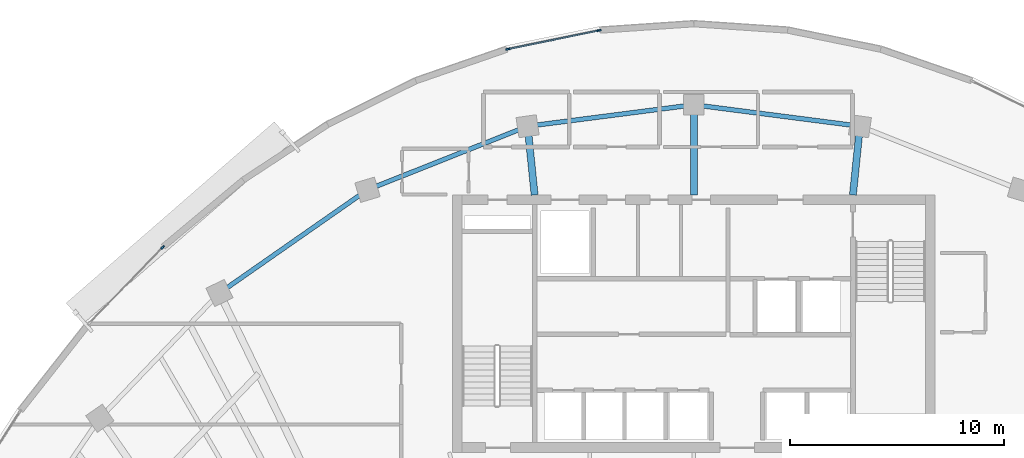
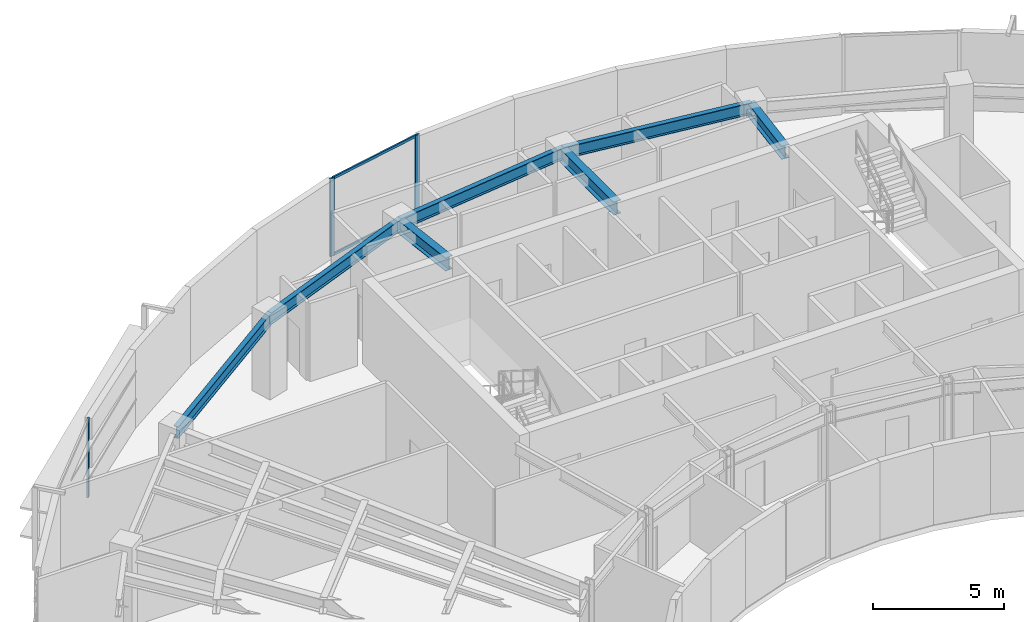
# One storey, part 5 of 14: 7 beams, 5 members, 2 elements without a shape of their own.
"""IFC4 building model written with IfcOpenShell, lengths in metres."""

from ifc_helpers import new_model, si_unit, direction, frame, origin, origin_2d, place, context, subcontext, project, spatial, rectangle, i_section, extrude, source, transform, mapped, material, layer, layer_set, material_profile, profile_set, type_object, element, aggregate, save


model = new_model("IFC4")

# Units and contexts
model_context = context("Model", 3, precision=1e-05, world=origin(), true_north=direction((0.0, 1.0)))
body_context = subcontext(model_context, "Body", "Model", "MODEL_VIEW")
ifc_project = project(units=[si_unit("LENGTHUNIT", "METRE"), si_unit("AREAUNIT", "SQUARE_METRE"), si_unit("VOLUMEUNIT", "CUBIC_METRE"), si_unit("PLANEANGLEUNIT", "RADIAN"), si_unit("MASSUNIT", "GRAM", prefix="KILO")], contexts=[model_context])

# Site, building, storey
site_placement = place(None, origin())
site = spatial("IfcSite", under=ifc_project, at=site_placement, CompositionType="ELEMENT")
building_placement = place(site_placement, origin())
building = spatial("IfcBuilding", under=site, at=building_placement, Name="Breltana Convention Tower", CompositionType="ELEMENT")
storey_placement = place(building_placement, frame((0.0, 0.0, 211.800048828125)))
storey = spatial("IfcBuildingStorey", under=building, at=storey_placement, Name="L51", CompositionType="ELEMENT", Elevation=211.800048828125)

# Beams
ifc_material_1 = material(Name="Steel ASTM A992 Grade 50", Category="steel")
ifc_material_profile_1 = material_profile(ifc_material_1, i_section(OverallWidth=0.326904296875, OverallDepth=0.6220703125, WebThickness=0.015380859375, FlangeThickness=0.0244140625, at=origin_2d()), Name="W24X131")
ifc_profile_set_1 = profile_set([ifc_material_profile_1], Name="Steel ASTM A992 Grade 50")
beam_type_1 = type_object("IfcBeamType", Name="BM-RG-W24X131", PredefinedType="USERDEFINED", material=ifc_profile_set_1)
shared_shape_1 = source(origin(), body_context, "Body", "SweptSolid", [
    extrude(i_section(OverallWidth=0.326904296875, OverallDepth=0.6220703125, WebThickness=0.015380859375, FlangeThickness=0.0244140625, at=origin_2d()), origin(), (0.0, 0.0, 1.0), 3.220947265625),
])
for number, where, z_axis, x_axis, name in (
    (1, (40.580078125, 72.199951171875, 3.328857421875), (-0.101492254858, 0.994836329355, 0.0), (-0.994836329355, -0.101492254858, 0.0), "L51 North Core Radial Girder R05"),
    (2, (55.419921875, 72.199951171875, 3.328857421875), (0.101492254858, 0.994836329355, 0.0), (-0.994836329355, 0.101492254858, 0.0), "L51 North Core Radial Girder R07"),
):
    element("IfcBeam", number, at=place(storey_placement, frame(where, z_axis=z_axis, x_axis=x_axis)), inside=storey, type_object=beam_type_1, Name=name, ObjectType="GIRDER", PredefinedType="USERDEFINED", context=body_context, shape_type="MappedRepresentation", body=[
        mapped(shared_shape_1, transform((0.0, 0.0, 0.0), scale=1.0)),
    ])
shared_shape_2 = source(origin(), body_context, "Body", "SweptSolid", [
    extrude(i_section(OverallWidth=0.326904296875, OverallDepth=0.6220703125, WebThickness=0.015380859375, FlangeThickness=0.0244140625, at=origin_2d()), origin(), (0.0, 0.0, 1.0), 4.2041015625),
])
beam_1_placement = place(storey_placement, frame((48.0, 72.199951171875, 3.328857421875), z_axis=(0.0, 1.0, 0.0), x_axis=(-1.0, 0.0, 0.0)))
element("IfcBeam", 3, at=beam_1_placement, inside=storey, type_object=beam_type_1, Name="L51 North Core Radial Girder R06", ObjectType="GIRDER", PredefinedType="USERDEFINED", context=body_context, shape_type="MappedRepresentation", body=[
    mapped(shared_shape_2, transform((0.0, 0.0, 0.0), scale=1.0)),
])
ifc_material_profile_2 = material_profile(ifc_material_1, i_section(OverallWidth=0.214111328125, OverallDepth=0.549072265625, WebThickness=0.0146484375, FlangeThickness=0.023681640625, at=origin_2d()), Name="W21X93")
ifc_profile_set_2 = profile_set([ifc_material_profile_2], Name="Steel ASTM A992 Grade 50")
beam_type_2 = type_object("IfcBeamType", Name="BM-SP-W21X93", PredefinedType="SPANDREL", material=ifc_profile_set_2)
shared_shape_3 = source(origin(), body_context, "Body", "SweptSolid", [
    extrude(i_section(OverallWidth=0.214111328125, OverallDepth=0.549072265625, WebThickness=0.0146484375, FlangeThickness=0.023681640625, at=origin_2d()), origin(), (0.0, 0.0, 1.0), 8.4169921875),
])
beam_2_placement = place(storey_placement, frame((25.8876953125, 67.626953125, 3.365478515625), z_axis=(0.820173800102, 0.572114444519, 0.0), x_axis=(-0.572114444519, 0.820173800102, 0.0)))
element("IfcBeam", 4, at=beam_2_placement, inside=storey, type_object=beam_type_2, Name="L51 Outer Spandrel Beam 03", PredefinedType="SPANDREL", context=body_context, shape_type="MappedRepresentation", body=[
    mapped(shared_shape_3, transform((0.0, 0.0, 0.0), scale=1.0)),
])
shared_shape_4 = source(origin(), body_context, "Body", "SweptSolid", [
    extrude(i_section(OverallWidth=0.214111328125, OverallDepth=0.549072265625, WebThickness=0.0146484375, FlangeThickness=0.023681640625, at=origin_2d()), origin(), (0.0, 0.0, 1.0), 8.028564453125),
])
beam_3_placement = place(storey_placement, frame((32.791015625, 72.4423828125, 3.365478515625), z_axis=(0.929459100394, 0.368925169507, 0.0), x_axis=(-0.368925169507, 0.929459100394, 0.0)))
element("IfcBeam", 5, at=beam_3_placement, inside=storey, type_object=beam_type_2, Name="L51 Outer Spandrel Beam 04", PredefinedType="SPANDREL", context=body_context, shape_type="MappedRepresentation", body=[
    mapped(shared_shape_4, transform((0.0, 0.0, 0.0), scale=1.0)),
])
shared_shape_5 = source(origin(), body_context, "Body", "SweptSolid", [
    extrude(i_section(OverallWidth=0.214111328125, OverallDepth=0.549072265625, WebThickness=0.0146484375, FlangeThickness=0.023681640625, at=origin_2d()), origin(), (0.0, 0.0, 1.0), 7.81103515625),
])
for number, where, z_axis, x_axis, name in (
    (6, (40.253173828125, 75.404296875, 3.365478515625), (0.991775179127, 0.127992164083, 0.0), (-0.127992164083, 0.991775179127, 0.0), "L51 Outer Spandrel Beam 05"),
    (7, (48.0, 76.404052734375, 3.365478515625), (0.991775179127, -0.127992164083, 0.0), (0.127992164083, 0.991775179127, 0.0), "L51 Outer Spandrel Beam 06"),
):
    element("IfcBeam", number, at=place(storey_placement, frame(where, z_axis=z_axis, x_axis=x_axis)), inside=storey, type_object=beam_type_2, Name=name, PredefinedType="SPANDREL", context=body_context, shape_type="MappedRepresentation", body=[
        mapped(shared_shape_5, transform((0.0, 0.0, 0.0), scale=1.0)),
    ])

# Curtain wall, member
ifc_material_2 = material(Name="Aluminium Anodised Bronze Frame", Category="aluminium")
ifc_layer = layer(ifc_material_2, 0.219970703125, Name="Aluminium Anodised Bronze Frame")
ifc_layer_set = layer_set([ifc_layer], Name="Aluminium Anodised Bronze Frame")
curtain_wall_type = type_object("IfcCurtainWallType", Name="CW-SYS-4", PredefinedType="NOTDEFINED", material=ifc_layer_set)
curtain_wall_1_placement = place(storey_placement, origin())
curtain_wall_1 = element("IfcCurtainWall", 8, at=curtain_wall_1_placement, inside=storey, type_object=curtain_wall_type, Name="L51 outer double-skin inner glazing 2", PredefinedType="NOTDEFINED")
ifc_material_3 = material(Name="Aluminium Anodised Bronze", Category="aluminium")
ifc_material_profile_3 = material_profile(ifc_material_3, rectangle(XDim=0.080078125, YDim=0.199951171875, at=origin_2d()), Name="CWM-80X200")
ifc_profile_set_3 = profile_set([ifc_material_profile_3], Name="Aluminium Anodised Bronze")
member_type_1 = type_object("IfcMemberType", Name="CWM-200", PredefinedType="MULLION", material=ifc_profile_set_3)
shared_shape_6 = source(origin(), body_context, "Body", "SweptSolid", [
    extrude(rectangle(XDim=0.080078125, YDim=0.199951171875, at=origin_2d()), origin(), (0.0, 0.0, 1.0), 3.639892578125),
])
member_1_placement = place(storey_placement, frame((23.240234375, 69.759033203125, 0.0), z_axis=(0.0, 0.0, 1.0), x_axis=(-0.719396292115, 0.694599866751, 0.0)))
member_1 = element("IfcMember", 9, at=member_1_placement, type_object=member_type_1, Name="CW-04 mullion 2", PredefinedType="MULLION", context=body_context, shape_type="MappedRepresentation", body=[
    mapped(shared_shape_6, transform((0.0, 0.0, 0.0), scale=1.0)),
])
aggregate(curtain_wall_1, [member_1])

# Curtain wall, members
curtain_wall_2_placement = place(storey_placement, origin())
curtain_wall_2 = element("IfcCurtainWall", 10, at=curtain_wall_2_placement, inside=storey, type_object=curtain_wall_type, Name="L51 outer double-skin inner glazing 3", PredefinedType="NOTDEFINED")
member_2_placement = place(storey_placement, frame((39.330078125, 78.9990234375, 0.0), z_axis=(0.0, 0.0, 1.0), x_axis=(-0.200879604523, 0.979615937236, 0.0)))
member_2 = element("IfcMember", 11, at=member_2_placement, type_object=member_type_1, Name="CW-04 mullion 1", PredefinedType="MULLION", context=body_context, shape_type="MappedRepresentation", body=[
    mapped(shared_shape_6, transform((0.0, 0.0, 0.0), scale=1.0)),
])
member_3_placement = place(storey_placement, frame((43.584228515625, 79.87158203125, 0.0), z_axis=(0.0, 0.0, 1.0), x_axis=(-0.200879604523, 0.979615937236, 0.0)))
member_3 = element("IfcMember", 12, at=member_3_placement, type_object=member_type_1, Name="CW-04 mullion 2", PredefinedType="MULLION", context=body_context, shape_type="MappedRepresentation", body=[
    mapped(shared_shape_6, transform((0.0, 0.0, 0.0), scale=1.0)),
])
ifc_material_profile_4 = material_profile(ifc_material_3, rectangle(XDim=0.070068359375, YDim=0.1201171875, at=origin_2d()), Name="CWT-70X120")
ifc_profile_set_4 = profile_set([ifc_material_profile_4], Name="Aluminium Anodised Bronze")
member_type_2 = type_object("IfcMemberType", Name="CWT-120", PredefinedType="USERDEFINED", material=ifc_profile_set_4)
shared_shape_7 = source(origin(), body_context, "Body", "SweptSolid", [
    extrude(rectangle(XDim=0.070068359375, YDim=0.1201171875, at=origin_2d()), origin(), (0.0, 0.0, 1.0), 4.262451171875),
])
member_4_placement = place(storey_placement, frame((39.369384765625, 79.007080078125, 0.034912109375), z_axis=(0.97960616963, 0.200927231659, 0.0), x_axis=(-0.200927231659, 0.97960616963, 0.0)))
member_4 = element("IfcMember", 13, at=member_4_placement, type_object=member_type_2, Name="CW-04 transom 1.1", ObjectType="TRANSOM", PredefinedType="USERDEFINED", context=body_context, shape_type="MappedRepresentation", body=[
    mapped(shared_shape_7, transform((0.0, 0.0, 0.0), scale=1.0)),
])
member_5_placement = place(storey_placement, frame((39.369384765625, 79.007080078125, 3.60498046875), z_axis=(0.97960616963, 0.200927231659, 0.0), x_axis=(-0.200927231659, 0.97960616963, 0.0)))
member_5 = element("IfcMember", 14, at=member_5_placement, type_object=member_type_2, Name="CW-04 transom 1.2", ObjectType="TRANSOM", PredefinedType="USERDEFINED", context=body_context, shape_type="MappedRepresentation", body=[
    mapped(shared_shape_7, transform((0.0, 0.0, 0.0), scale=1.0)),
])
aggregate(curtain_wall_2, [member_2, member_3, member_4, member_5])

save(model, "model.ifc")
